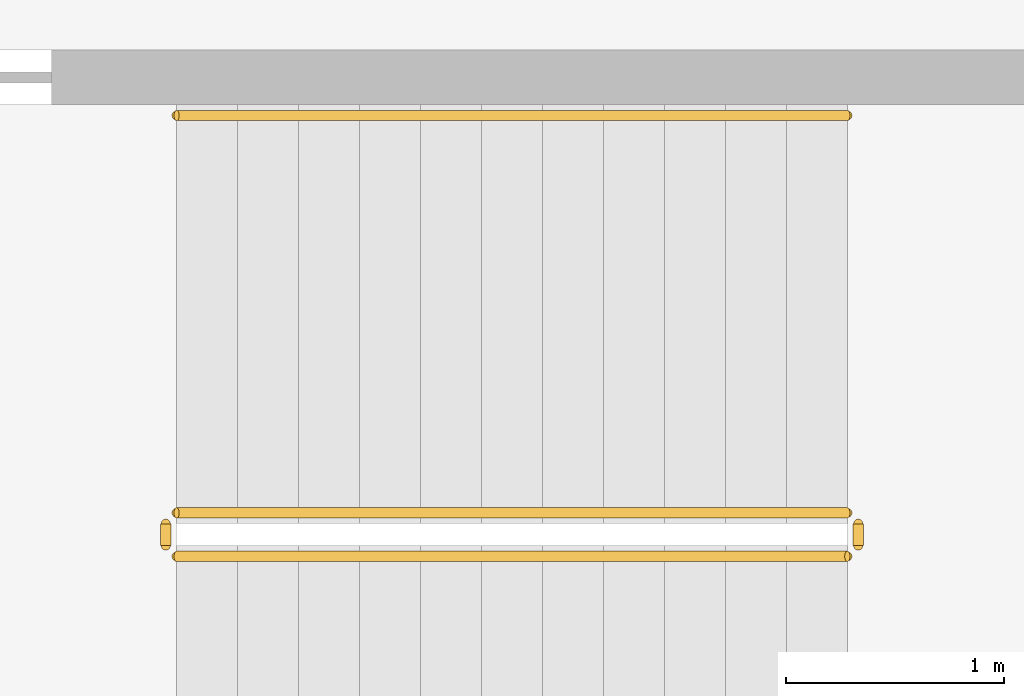
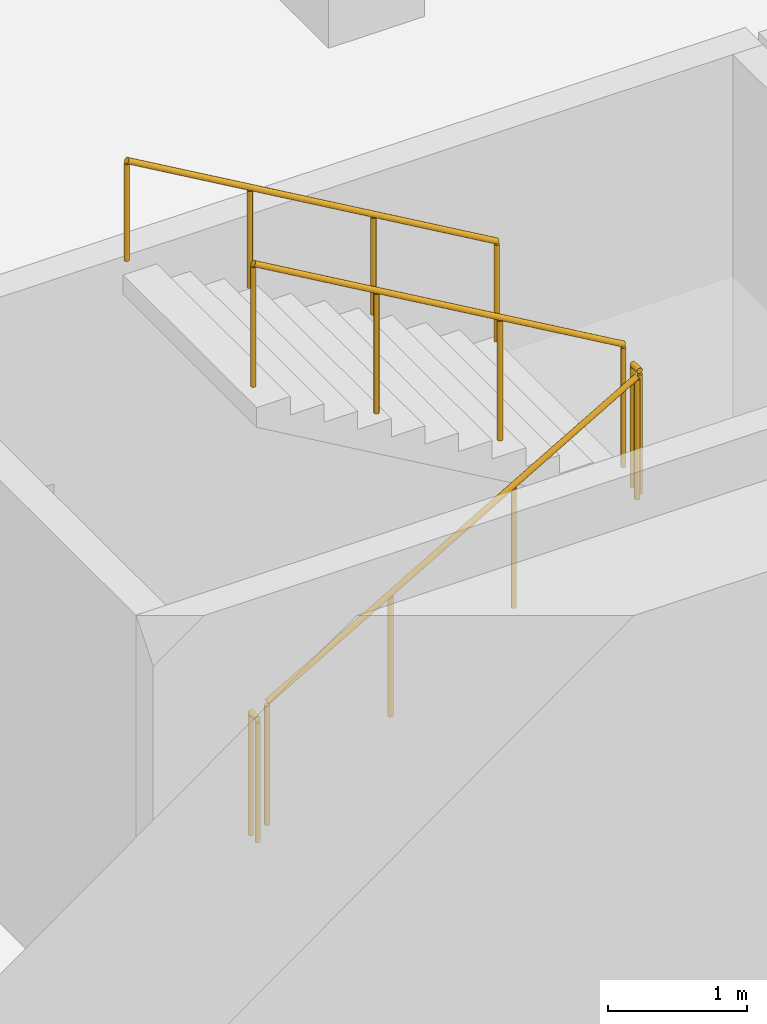
# One storey, part 21 of 25: 5 railings.
"""IFC4 building model written with IfcOpenShell, lengths in metres."""

from ifc_helpers import new_model, si_unit, direction, frame, origin, origin_2d, place, context, subcontext, project, spatial, circle, extrude, material, type_object, element, save


model = new_model("IFC4")

# Units and contexts
model_context = context("Model", 3, precision=1e-05, world=origin(), true_north=direction((0.0, 1.0)))
body_context = subcontext(model_context, "Body", "Model", "MODEL_VIEW")
ifc_project = project(units=[si_unit("LENGTHUNIT", "METRE"), si_unit("AREAUNIT", "SQUARE_METRE"), si_unit("VOLUMEUNIT", "CUBIC_METRE"), si_unit("PLANEANGLEUNIT", "RADIAN"), si_unit("MASSUNIT", "GRAM", prefix="KILO")], contexts=[model_context])

# Site, building, storey
site_placement = place(None, origin())
site = spatial("IfcSite", under=ifc_project, at=site_placement, CompositionType="ELEMENT")
building_placement = place(site_placement, origin())
building = spatial("IfcBuilding", under=site, at=building_placement, Name="Verdalira Terraces Hotel", CompositionType="ELEMENT")
storey_placement = place(building_placement, frame((0.0, 0.0, -7.800049)))
storey = spatial("IfcBuildingStorey", under=building, at=storey_placement, Name="B2", CompositionType="ELEMENT", Elevation=-7.800048828125)

# Railings
ifc_material_1 = material(Name="Stainless steel", Category="steel")
railing_type_1 = type_object("IfcRailingType", Name="Stair guard 1100", PredefinedType="GUARDRAIL", material=ifc_material_1)
railing_1_placement = place(storey_placement, frame((11.024902, -50.324951, 0.162598)))
element("IfcRailing", 1, at=railing_1_placement, inside=storey, type_object=railing_type_1, Name="B2 Basement stair 6 stair guard 1", PredefinedType="GUARDRAIL", context=body_context, shape_type="SweptSolid", body=[
    extrude(circle(Radius=0.023926, at=origin_2d()), frame((0.0, 0.0, 1.076172), z_axis=(0.864920483, 0.0, 0.501908914), x_axis=(0.0, 1.0, 0.0)), (0.0, 0.0, 1.0), 3.561035),
    extrude(circle(Radius=0.020996, at=origin_2d()), origin(), (0.0, 0.0, 1.0), 1.052002),
    extrude(circle(Radius=0.020996, at=origin_2d()), frame((1.026611, 0.0, 0.595703)), (0.0, 0.0, 1.0), 1.052002),
    extrude(circle(Radius=0.020996, at=origin_2d()), frame((2.053467, 0.0, 1.19165)), (0.0, 0.0, 1.0), 1.052002),
    extrude(circle(Radius=0.020996, at=origin_2d()), frame((3.080078, 0.0, 1.787354)), (0.0, 0.0, 1.0), 1.052002),
])
railing_2_placement = place(storey_placement, frame((14.155029, -50.274902, 1.949951)))
element("IfcRailing", 2, at=railing_2_placement, inside=storey, type_object=railing_type_1, Name="B2 Basement stair 6 stair guard 2", PredefinedType="GUARDRAIL", context=body_context, shape_type="SweptSolid", body=[
    extrude(circle(Radius=0.023926, at=origin_2d()), frame((0.0, 0.0, 1.076172), z_axis=(0.0, 1.0, 0.0), x_axis=(-1.0, 0.0, 0.0)), (0.0, 0.0, 1.0), 0.099854),
    extrude(circle(Radius=0.020996, at=origin_2d()), origin(), (0.0, 0.0, 1.0), 1.052002),
    extrude(circle(Radius=0.020996, at=origin_2d()), frame((0.0, 0.099854, 0.0)), (0.0, 0.0, 1.0), 1.052002),
])
railing_3_placement = place(storey_placement, frame((14.10498, -50.125, 2.112549)))
element("IfcRailing", 3, at=railing_3_placement, inside=storey, type_object=railing_type_1, Name="B2 Basement stair 6 stair guard 3", PredefinedType="GUARDRAIL", context=body_context, shape_type="SweptSolid", body=[
    extrude(circle(Radius=0.023926, at=origin_2d()), frame((0.0, 0.0, 1.076172), z_axis=(-0.864890721, 0.0, 0.501960198), x_axis=(0.0, -1.0, 0.0)), (0.0, 0.0, 1.0), 3.561279),
    extrude(circle(Radius=0.020996, at=origin_2d()), origin(), (0.0, 0.0, 1.0), 1.052002),
    extrude(circle(Radius=0.020996, at=origin_2d()), frame((-1.026611, 0.0, 0.595947)), (0.0, 0.0, 1.0), 1.052002),
    extrude(circle(Radius=0.020996, at=origin_2d()), frame((-2.053467, 0.0, 1.19165)), (0.0, 0.0, 1.0), 1.052002),
    extrude(circle(Radius=0.020996, at=origin_2d()), frame((-3.080078, 0.0, 1.787598)), (0.0, 0.0, 1.0), 1.052002),
])
railing_4_placement = place(storey_placement, frame((10.975098, -50.274902, 0.0)))
element("IfcRailing", 4, at=railing_4_placement, inside=storey, type_object=railing_type_1, Name="B2 Basement stair 6 stair guard 4", PredefinedType="GUARDRAIL", context=body_context, shape_type="SweptSolid", body=[
    extrude(circle(Radius=0.023926, at=origin_2d()), frame((0.0, 0.0, 1.076172), z_axis=(0.0, 1.0, 0.0), x_axis=(-1.0, 0.0, 0.0)), (0.0, 0.0, 1.0), 0.099854),
    extrude(circle(Radius=0.020996, at=origin_2d()), origin(), (0.0, 0.0, 1.0), 1.052002),
    extrude(circle(Radius=0.020996, at=origin_2d()), frame((0.0, 0.099854, 0.0)), (0.0, 0.0, 1.0), 1.052002),
])
ifc_material_2 = material(Name="Stainless steel", Category="steel")
railing_type_2 = type_object("IfcRailingType", Name="Stair handrail 900", PredefinedType="HANDRAIL", material=ifc_material_2)
railing_5_placement = place(storey_placement, frame((14.10498, -48.300049, 2.112549)))
element("IfcRailing", 5, at=railing_5_placement, inside=storey, type_object=railing_type_2, Name="B2 Basement stair 6 stair handrail 2", PredefinedType="HANDRAIL", context=body_context, shape_type="SweptSolid", body=[
    extrude(circle(Radius=0.023926, at=origin_2d()), frame((0.0, 0.0, 0.875977), z_axis=(-0.864890721, 0.0, 0.501960198), x_axis=(0.0, -1.0, 0.0)), (0.0, 0.0, 1.0), 3.561279),
    extrude(circle(Radius=0.020996, at=origin_2d()), origin(), (0.0, 0.0, 1.0), 0.851807),
    extrude(circle(Radius=0.020996, at=origin_2d()), frame((-1.026611, 0.0, 0.595947)), (0.0, 0.0, 1.0), 0.851807),
    extrude(circle(Radius=0.020996, at=origin_2d()), frame((-2.053467, 0.0, 1.19165)), (0.0, 0.0, 1.0), 0.851807),
    extrude(circle(Radius=0.020996, at=origin_2d()), frame((-3.080078, 0.0, 1.787598)), (0.0, 0.0, 1.0), 0.851807),
])

save(model, "model.ifc")
